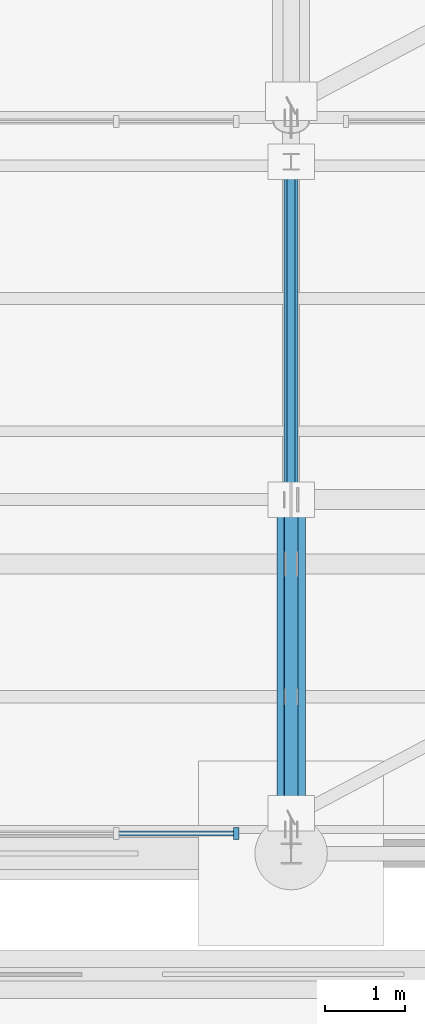
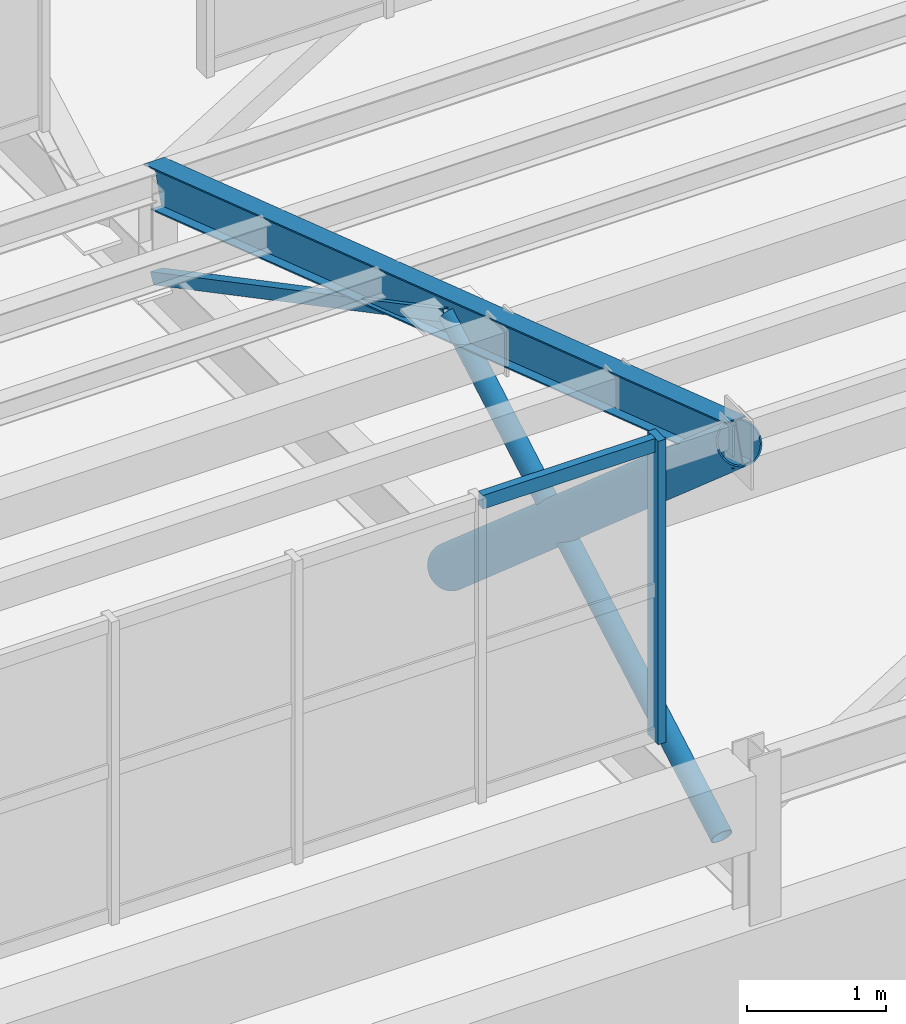
# One storey, part 44 of 285: 5 members, 1 beam, 1 element without a shape of its own.
"""IFC4 building model written with IfcOpenShell, lengths in metres."""

from ifc_helpers import new_model, si_unit, direction, frame, origin, origin_2d, place, context, subcontext, project, spatial, rectangle, hollow_rectangle, hollow_circle, i_section, extrude, material, material_profile, profile_set, type_object, element, aggregate, save


model = new_model("IFC4")

# Units and contexts
model_context = context("Model", 3, precision=1e-05, world=origin(), true_north=direction((0.0, 1.0)))
body_context = subcontext(model_context, "Body", "Model", "MODEL_VIEW")
ifc_project = project(units=[si_unit("LENGTHUNIT", "METRE"), si_unit("AREAUNIT", "SQUARE_METRE"), si_unit("VOLUMEUNIT", "CUBIC_METRE"), si_unit("PLANEANGLEUNIT", "RADIAN"), si_unit("MASSUNIT", "GRAM", prefix="KILO")], contexts=[model_context])

# Site, building, storey
site_placement = place(None, origin())
site = spatial("IfcSite", under=ifc_project, at=site_placement, CompositionType="ELEMENT")
building_placement = place(site_placement, origin())
building = spatial("IfcBuilding", under=site, at=building_placement, Name="Solanera Park Tramway Depot", CompositionType="ELEMENT")
storey_placement = place(building_placement, origin())
storey = spatial("IfcBuildingStorey", under=building, at=storey_placement, Name="L00", CompositionType="ELEMENT", Elevation=0.0)

# Curtain wall, members
ifc_material_1 = material(Name="Bronze-anodised thermally broken aluminium curtain wall", Category="aluminium")
curtain_wall_type = type_object("IfcCurtainWallType", Name="Sawtooth Clerestory Monitor Curtain Wall", PredefinedType="NOTDEFINED", material=ifc_material_1)
curtain_wall_placement = place(storey_placement, origin())
curtain_wall = element("IfcCurtainWall", 1, at=curtain_wall_placement, inside=storey, type_object=curtain_wall_type, Name="L00 Sawtooth Clerestory Monitor Curtain Wall #002", PredefinedType="NOTDEFINED")
ifc_material_2 = material(Name="Bronze-anodised structural aluminium 6063-T6", Category="aluminium")
ifc_material_profile_1 = material_profile(ifc_material_2, rectangle(XDim=0.06494140625, YDim=0.14990234375, at=origin_2d()), Name="Curtain Wall Mullion 65x150")
ifc_profile_set_1 = profile_set([ifc_material_profile_1], Name="Bronze-anodised structural aluminium 6063-T6")
member_type_1 = type_object("IfcMemberType", Name="Curtain Wall Mullion 65x150", PredefinedType="MULLION", material=ifc_profile_set_1)
member_1_placement = place(storey_placement, frame((89.3173828125, 55.75, 7.75), z_axis=(0.0, 0.0, 1.0), x_axis=(1.0, 0.0, 0.0)))
member_1 = element("IfcMember", 2, at=member_1_placement, type_object=member_type_1, Name="CW-L00-002 Mullion 10", PredefinedType="MULLION", context=body_context, shape_type="SweptSolid", body=[
    extrude(rectangle(XDim=0.06494140625, YDim=0.14990234375, at=origin_2d()), origin(), (0.0, 0.0, 1.0), 2.6611328125),
])
ifc_material_3 = material(Name="Bronze-anodised structural aluminium 6063-T6", Category="aluminium")
ifc_material_profile_2 = material_profile(ifc_material_3, rectangle(XDim=0.06494140625, YDim=0.1201171875, at=origin_2d()), Name="Curtain Wall Transom 65x120")
ifc_profile_set_2 = profile_set([ifc_material_profile_2], Name="Bronze-anodised structural aluminium 6063-T6")
member_type_2 = type_object("IfcMemberType", Name="Curtain Wall Transom 65x120", PredefinedType="USERDEFINED", material=ifc_profile_set_2)
member_2_placement = place(storey_placement, frame((87.855712890625, 55.75, 10.351318359375), z_axis=(1.0, 0.0, 0.0), x_axis=(0.0, 1.0, 0.0)))
member_2 = element("IfcMember", 3, at=member_2_placement, type_object=member_type_2, Name="CW-L00-002 Transom R3.C9", ObjectType="TRANSOM", PredefinedType="USERDEFINED", context=body_context, shape_type="SweptSolid", body=[
    extrude(rectangle(XDim=0.06494140625, YDim=0.1201171875, at=origin_2d()), origin(), (0.0, 0.0, 1.0), 1.433837890625),
])
aggregate(curtain_wall, [member_1, member_2])

# Member
ifc_material_4 = material(Name="Steel AS/NZS 1163 Grade C350L0", Category="steel")
ifc_material_profile_3 = material_profile(ifc_material_4, hollow_circle(Radius=0.084228515625, WallThickness=0.00634765625, at=origin_2d()), Name="168.3x6.4 CHS")
ifc_profile_set_3 = profile_set([ifc_material_profile_3], Name="Steel AS/NZS 1163 Grade C350L0")
member_type_3 = type_object("IfcMemberType", Name="Roof Gantry Compression Strut 168.3x6.4 CHS", PredefinedType="STRUT", material=ifc_profile_set_3)
member_3_placement = place(storey_placement, frame((90.0, 56.0, 6.5), z_axis=(0.0, 0.869202540842, 0.49445620938), x_axis=(-1.0, 0.0, 0.0)))
element("IfcMember", 4, at=member_3_placement, inside=storey, type_object=member_type_3, Name="Sawtooth ROOF TRUSS Strut 168.3x6.4 CHS #0024", PredefinedType="STRUT", context=body_context, shape_type="SweptSolid", body=[
    extrude(hollow_circle(Radius=0.084228515625, WallThickness=0.00634765625, at=origin_2d()), origin(), (0.0, 0.0, 1.0), 4.48681640625),
])

# Beam
ifc_material_5 = material(Name="Steel AS/NZS 3679.1 Grade 350", Category="steel")
ifc_material_profile_4 = material_profile(ifc_material_5, i_section(OverallWidth=0.17138671875, OverallDepth=0.355712890625, WebThickness=0.00732421875, FlangeThickness=0.011474609375, at=origin_2d()), Name="360UB50.7")
ifc_profile_set_4 = profile_set([ifc_material_profile_4], Name="Steel AS/NZS 3679.1 Grade 350")
beam_type = type_object("IfcBeamType", Name="Steel Beam 360UB50.7", PredefinedType="BEAM", material=ifc_profile_set_4)
beam_placement = place(storey_placement, frame((90.0, 55.75, 10.10693359375), z_axis=(0.0, 0.948322229475, -0.317308917435), x_axis=(-1.0, 0.0, 0.0)))
element("IfcBeam", 5, at=beam_placement, inside=storey, type_object=beam_type, Name="Sawtooth ROOF TRUSS Top Rafter 360UB50.7 B01-T6", PredefinedType="BEAM", context=body_context, shape_type="SweptSolid", body=[
    extrude(i_section(OverallWidth=0.17138671875, OverallDepth=0.355712890625, WebThickness=0.00732421875, FlangeThickness=0.011474609375, at=origin_2d()), origin(), (0.0, 0.0, 1.0), 8.80517578125),
])

# Members
ifc_material_6 = material(Name="Steel AS/NZS 1163 Grade C350L0", Category="steel")
ifc_material_profile_5 = material_profile(ifc_material_6, hollow_rectangle(XDim=0.10009765625, YDim=0.10009765625, WallThickness=0.0048828125, at=origin_2d()), Name="100x100x5.0 SHS")
ifc_profile_set_5 = profile_set([ifc_material_profile_5], Name="Steel AS/NZS 1163 Grade C350L0")
member_type_4 = type_object("IfcMemberType", Name="Truss and Frame Brace 100x100x5.0 SHS", PredefinedType="BRACE", material=ifc_profile_set_5)
member_4_placement = place(storey_placement, frame((90.0, 64.10009765625, 6.5), z_axis=(0.0, -0.88423383461, 0.467044457981), x_axis=(1.0, 0.0, 0.0)))
element("IfcMember", 6, at=member_4_placement, inside=storey, type_object=member_type_4, Name="Sawtooth ROOF TRUSS Diagonal 100x100x5.0 SHS #0023", PredefinedType="BRACE", context=body_context, shape_type="SweptSolid", body=[
    extrude(hollow_rectangle(XDim=0.10009765625, YDim=0.10009765625, WallThickness=0.0048828125, at=origin_2d()), origin(), (0.0, 0.0, 1.0), 4.75),
])
ifc_material_7 = material(Name="Steel AS/NZS 1163 Grade C350L0", Category="steel")
ifc_material_profile_6 = material_profile(ifc_material_7, hollow_circle(Radius=0.177734375, WallThickness=0.0126953125, at=origin_2d()), Name="355.6x12.7 CHS")
ifc_profile_set_6 = profile_set([ifc_material_profile_6], Name="Steel AS/NZS 1163 Grade C350L0")
member_type_5 = type_object("IfcMemberType", Name="Truss and Frame Brace 355.6x12.7 CHS", PredefinedType="BRACE", material=ifc_profile_set_6)
member_5_placement = place(storey_placement, frame((90.0, 59.89990234375, 6.5), z_axis=(0.0, -0.754756538157, 0.656005006162), x_axis=(1.0, 0.0, 0.0)))
element("IfcMember", 7, at=member_5_placement, inside=storey, type_object=member_type_5, Name="Sawtooth ROOF TRUSS Web Brace 355.6x12.7 CHS #0022", PredefinedType="BRACE", context=body_context, shape_type="SweptSolid", body=[
    extrude(hollow_circle(Radius=0.177734375, WallThickness=0.0126953125, at=origin_2d()), origin(), (0.0, 0.0, 1.0), 5.498291015625),
])

save(model, "model.ifc")
